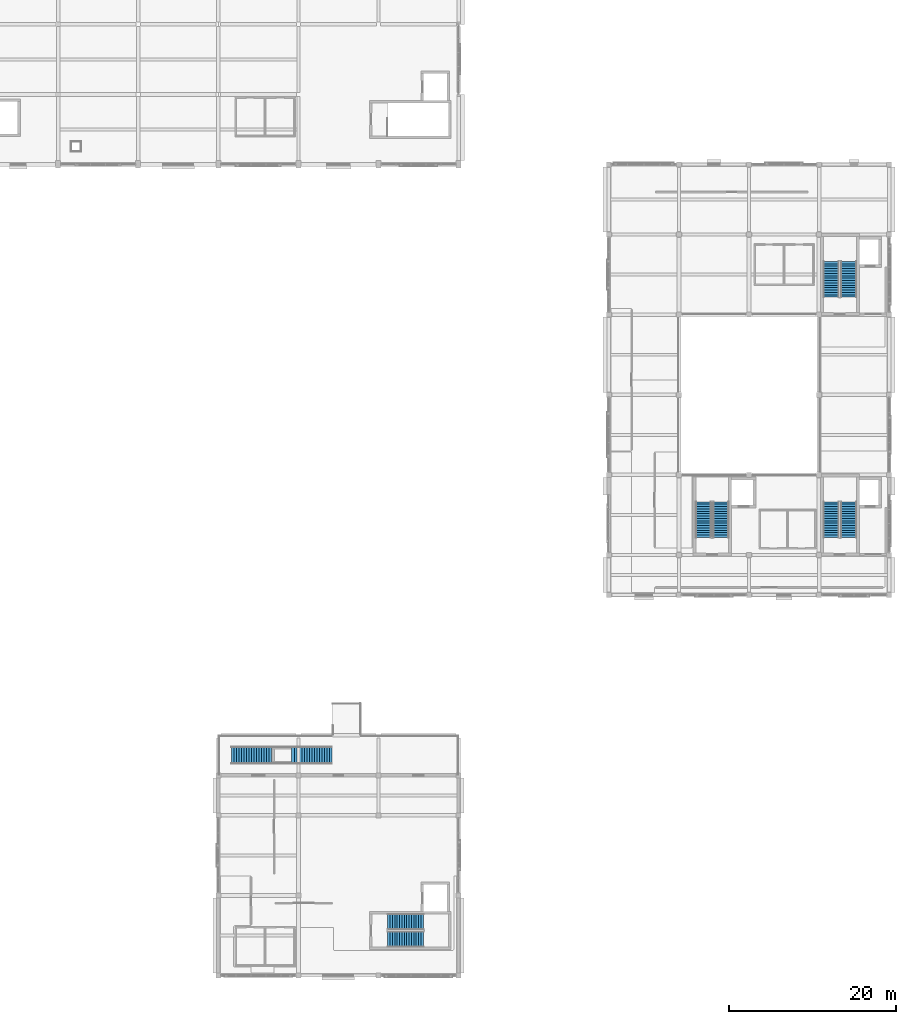
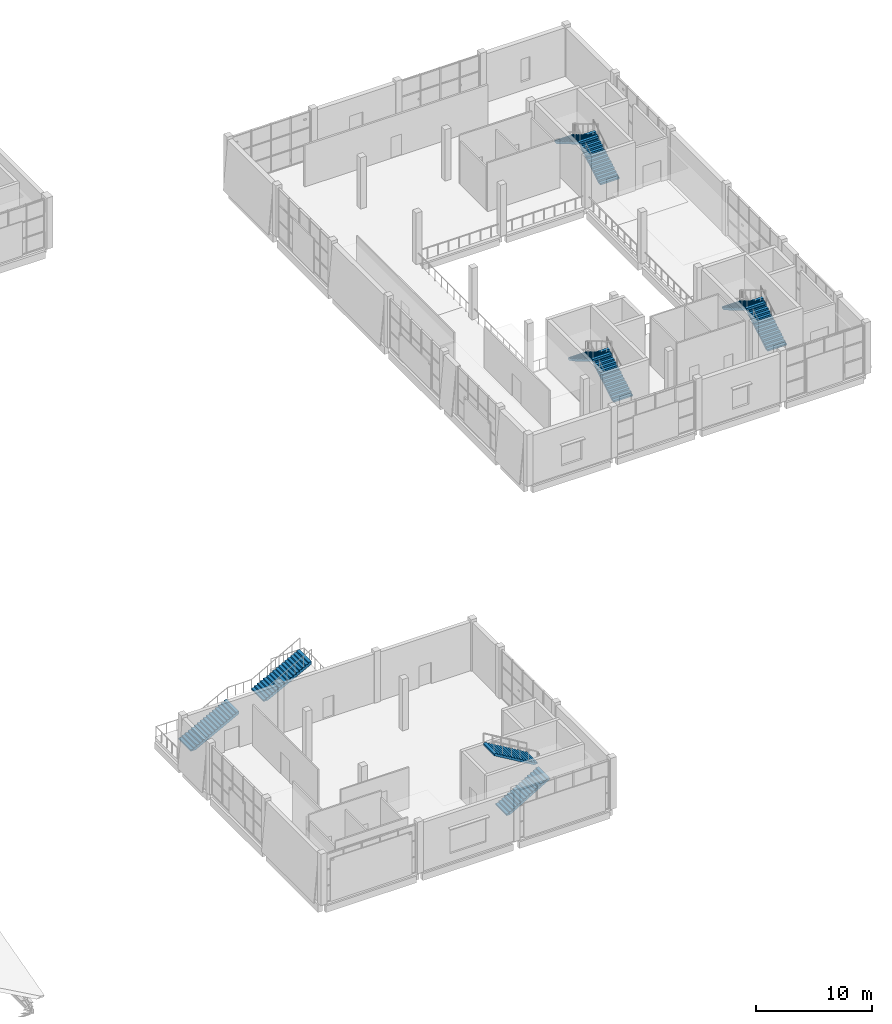
# One storey, part 45 of 57: 10 stair flights, 5 elements without a shape of their own.
"""IFC4 building model written with IfcOpenShell, lengths in metres."""

from ifc_helpers import new_model, si_unit, direction, frame, origin, place, context, subcontext, project, spatial, polyline, outline, extrude, material, type_object, element, aggregate, save


model = new_model("IFC4")

# Units and contexts
model_context = context("Model", 3, precision=1e-05, world=origin(), true_north=direction((0.0, 1.0)))
body_context = subcontext(model_context, "Body", "Model", "MODEL_VIEW")
ifc_project = project(units=[si_unit("LENGTHUNIT", "METRE"), si_unit("AREAUNIT", "SQUARE_METRE"), si_unit("VOLUMEUNIT", "CUBIC_METRE"), si_unit("PLANEANGLEUNIT", "RADIAN"), si_unit("MASSUNIT", "GRAM", prefix="KILO")], contexts=[model_context])

# Site, building, storey
site_placement = place(None, origin())
site = spatial("IfcSite", under=ifc_project, at=site_placement, CompositionType="ELEMENT")
building_placement = place(site_placement, origin())
building = spatial("IfcBuilding", under=site, at=building_placement, Name="Shalvenor Court Art Gallery", CompositionType="ELEMENT")
storey_placement = place(building_placement, frame((0.0, 0.0, 16.800048828125)))
storey = spatial("IfcBuildingStorey", under=building, at=storey_placement, Name="L03", CompositionType="ELEMENT", Elevation=16.800048828125)

# Stair, stair flights
ifc_material_1 = material(Name="Concrete C40/50", Category="concrete")
stair_type_1 = type_object("IfcStairType", Name="ST-DL-32R-1900", PredefinedType="HALF_TURN_STAIR", material=ifc_material_1)
stair_1_placement = place(storey_placement, origin())
stair_1 = element("IfcStair", 1, at=stair_1_placement, inside=storey, type_object=stair_type_1, Name="L03 Core Dogleg Stair ST-01", PredefinedType="HALF_TURN_STAIR")
ifc_material_2 = material(Name="Concrete C40/50", Category="concrete")
stair_flight_type_1 = type_object("IfcStairFlightType", Name="FL-DL-16R-1900", PredefinedType="STRAIGHT", material=ifc_material_2)
stair_flight_1_placement = place(storey_placement, frame((171.550048828125, 81.300048828125, 0.0), z_axis=(0.0, 0.0, 1.0), x_axis=(0.0, 1.0, 0.0)))
stair_flight_1 = element("IfcStairFlight", 2, at=stair_flight_1_placement, type_object=stair_flight_type_1, Name="ST-DL-32R-1900 flight 1", NumberOfRisers=16, NumberOfTreads=15, PredefinedType="STRAIGHT", RiserHeight=0.16875, TreadLength=0.285, context=body_context, shape_type="SweptSolid", body=[
    extrude(outline(polyline([(0.0, 0.0), (0.0, 0.168701171875), (0.284912109375, 0.168701171875), (0.284912109375, 0.33740234375), (0.570068359375, 0.33740234375), (0.570068359375, 0.50634765625), (0.85498046875, 0.50634765625), (0.85498046875, 0.675048828125), (1.139892578125, 0.675048828125), (1.139892578125, 0.84375), (1.425048828125, 0.84375), (1.425048828125, 1.012451171875), (1.7099609375, 1.012451171875), (1.7099609375, 1.18115234375), (1.9951171875, 1.18115234375), (1.9951171875, 1.35009765625), (2.280029296875, 1.35009765625), (2.280029296875, 1.518798828125), (2.56494140625, 1.518798828125), (2.56494140625, 1.6875), (2.85009765625, 1.6875), (2.85009765625, 1.856201171875), (3.135009765625, 1.856201171875), (3.135009765625, 2.02490234375), (3.419921875, 2.02490234375), (3.419921875, 2.19384765625), (3.705078125, 2.19384765625), (3.705078125, 2.362548828125), (3.989990234375, 2.362548828125), (3.989990234375, 2.53125), (4.27490234375, 2.53125), (4.27490234375, 2.699951171875), (4.27490234375, 2.322021484375), (0.353271484375, 0.0), (0.0, 0.0)])), frame((0.0, 0.949951171875, 0.0), z_axis=(0.0, -1.0, 0.0), x_axis=(1.0, 0.0, 0.0)), (0.0, 0.0, 1.0), 1.89990234375),
])
stair_flight_2_placement = place(storey_placement, frame((169.449951171875, 85.574951171875, 2.699951171875), z_axis=(0.0, 0.0, 1.0), x_axis=(0.0, -1.0, 0.0)))
stair_flight_2 = element("IfcStairFlight", 3, at=stair_flight_2_placement, type_object=stair_flight_type_1, Name="ST-DL-32R-1900 flight 2", NumberOfRisers=16, NumberOfTreads=15, PredefinedType="STRAIGHT", RiserHeight=0.16875, TreadLength=0.285, context=body_context, shape_type="SweptSolid", body=[
    extrude(outline(polyline([(0.0, 0.0), (0.0, 0.168701171875), (0.284912109375, 0.168701171875), (0.284912109375, 0.33740234375), (0.570068359375, 0.33740234375), (0.570068359375, 0.50634765625), (0.85498046875, 0.50634765625), (0.85498046875, 0.675048828125), (1.139892578125, 0.675048828125), (1.139892578125, 0.84375), (1.425048828125, 0.84375), (1.425048828125, 1.012451171875), (1.7099609375, 1.012451171875), (1.7099609375, 1.18115234375), (1.9951171875, 1.18115234375), (1.9951171875, 1.35009765625), (2.280029296875, 1.35009765625), (2.280029296875, 1.518798828125), (2.56494140625, 1.518798828125), (2.56494140625, 1.6875), (2.85009765625, 1.6875), (2.85009765625, 1.856201171875), (3.135009765625, 1.856201171875), (3.135009765625, 2.02490234375), (3.419921875, 2.02490234375), (3.419921875, 2.19384765625), (3.705078125, 2.19384765625), (3.705078125, 2.362548828125), (3.989990234375, 2.362548828125), (3.989990234375, 2.53125), (4.27490234375, 2.53125), (4.27490234375, 2.699951171875), (4.27490234375, 2.322021484375), (0.353271484375, 0.0), (0.0, 0.0)])), frame((0.0, 0.949951171875, 0.0), z_axis=(0.0, -1.0, 0.0), x_axis=(1.0, 0.0, 0.0)), (0.0, 0.0, 1.0), 1.89990234375),
])
aggregate(stair_1, [stair_flight_1, stair_flight_2])

stair_2_placement = place(storey_placement, origin())
stair_2 = element("IfcStair", 4, at=stair_2_placement, inside=storey, type_object=stair_type_1, Name="L03 Core Dogleg Stair ST-02", PredefinedType="HALF_TURN_STAIR")
stair_flight_3_placement = place(storey_placement, frame((171.550048828125, 52.5, 0.0), z_axis=(0.0, 0.0, 1.0), x_axis=(0.0, 1.0, 0.0)))
stair_flight_3 = element("IfcStairFlight", 5, at=stair_flight_3_placement, type_object=stair_flight_type_1, Name="ST-DL-32R-1900 flight 1", NumberOfRisers=16, NumberOfTreads=15, PredefinedType="STRAIGHT", RiserHeight=0.16875, TreadLength=0.285, context=body_context, shape_type="SweptSolid", body=[
    extrude(outline(polyline([(0.0, 0.0), (0.0, 0.168701171875), (0.284912109375, 0.168701171875), (0.284912109375, 0.33740234375), (0.570068359375, 0.33740234375), (0.570068359375, 0.50634765625), (0.85498046875, 0.50634765625), (0.85498046875, 0.675048828125), (1.139892578125, 0.675048828125), (1.139892578125, 0.84375), (1.425048828125, 0.84375), (1.425048828125, 1.012451171875), (1.7099609375, 1.012451171875), (1.7099609375, 1.18115234375), (1.9951171875, 1.18115234375), (1.9951171875, 1.35009765625), (2.280029296875, 1.35009765625), (2.280029296875, 1.518798828125), (2.56494140625, 1.518798828125), (2.56494140625, 1.6875), (2.85009765625, 1.6875), (2.85009765625, 1.856201171875), (3.135009765625, 1.856201171875), (3.135009765625, 2.02490234375), (3.419921875, 2.02490234375), (3.419921875, 2.19384765625), (3.705078125, 2.19384765625), (3.705078125, 2.362548828125), (3.989990234375, 2.362548828125), (3.989990234375, 2.53125), (4.27490234375, 2.53125), (4.27490234375, 2.699951171875), (4.27490234375, 2.322021484375), (0.353271484375, 0.0), (0.0, 0.0)])), frame((0.0, 0.949951171875, 0.0), z_axis=(0.0, -1.0, 0.0), x_axis=(1.0, 0.0, 0.0)), (0.0, 0.0, 1.0), 1.89990234375),
])
stair_flight_4_placement = place(storey_placement, frame((169.449951171875, 56.77490234375, 2.699951171875), z_axis=(0.0, 0.0, 1.0), x_axis=(0.0, -1.0, 0.0)))
stair_flight_4 = element("IfcStairFlight", 6, at=stair_flight_4_placement, type_object=stair_flight_type_1, Name="ST-DL-32R-1900 flight 2", NumberOfRisers=16, NumberOfTreads=15, PredefinedType="STRAIGHT", RiserHeight=0.16875, TreadLength=0.285, context=body_context, shape_type="SweptSolid", body=[
    extrude(outline(polyline([(0.0, 0.0), (0.0, 0.168701171875), (0.284912109375, 0.168701171875), (0.284912109375, 0.33740234375), (0.570068359375, 0.33740234375), (0.570068359375, 0.50634765625), (0.85498046875, 0.50634765625), (0.85498046875, 0.675048828125), (1.139892578125, 0.675048828125), (1.139892578125, 0.84375), (1.425048828125, 0.84375), (1.425048828125, 1.012451171875), (1.7099609375, 1.012451171875), (1.7099609375, 1.18115234375), (1.9951171875, 1.18115234375), (1.9951171875, 1.35009765625), (2.280029296875, 1.35009765625), (2.280029296875, 1.518798828125), (2.56494140625, 1.518798828125), (2.56494140625, 1.6875), (2.85009765625, 1.6875), (2.85009765625, 1.856201171875), (3.135009765625, 1.856201171875), (3.135009765625, 2.02490234375), (3.419921875, 2.02490234375), (3.419921875, 2.19384765625), (3.705078125, 2.19384765625), (3.705078125, 2.362548828125), (3.989990234375, 2.362548828125), (3.989990234375, 2.53125), (4.27490234375, 2.53125), (4.27490234375, 2.699951171875), (4.27490234375, 2.322021484375), (0.353271484375, 0.0), (0.0, 0.0)])), frame((0.0, 0.949951171875, 0.0), z_axis=(0.0, -1.0, 0.0), x_axis=(1.0, 0.0, 0.0)), (0.0, 0.0, 1.0), 1.89990234375),
])
aggregate(stair_2, [stair_flight_3, stair_flight_4])

stair_3_placement = place(storey_placement, origin())
stair_3 = element("IfcStair", 7, at=stair_3_placement, inside=storey, type_object=stair_type_1, Name="L03 Core Dogleg Stair ST-03", PredefinedType="HALF_TURN_STAIR")
stair_flight_5_placement = place(storey_placement, frame((156.25, 52.5, 0.0), z_axis=(0.0, 0.0, 1.0), x_axis=(0.0, 1.0, 0.0)))
stair_flight_5 = element("IfcStairFlight", 8, at=stair_flight_5_placement, type_object=stair_flight_type_1, Name="ST-DL-32R-1900 flight 1", NumberOfRisers=16, NumberOfTreads=15, PredefinedType="STRAIGHT", RiserHeight=0.16875, TreadLength=0.285, context=body_context, shape_type="SweptSolid", body=[
    extrude(outline(polyline([(0.0, 0.0), (0.0, 0.168701171875), (0.284912109375, 0.168701171875), (0.284912109375, 0.33740234375), (0.570068359375, 0.33740234375), (0.570068359375, 0.50634765625), (0.85498046875, 0.50634765625), (0.85498046875, 0.675048828125), (1.139892578125, 0.675048828125), (1.139892578125, 0.84375), (1.425048828125, 0.84375), (1.425048828125, 1.012451171875), (1.7099609375, 1.012451171875), (1.7099609375, 1.18115234375), (1.9951171875, 1.18115234375), (1.9951171875, 1.35009765625), (2.280029296875, 1.35009765625), (2.280029296875, 1.518798828125), (2.56494140625, 1.518798828125), (2.56494140625, 1.6875), (2.85009765625, 1.6875), (2.85009765625, 1.856201171875), (3.135009765625, 1.856201171875), (3.135009765625, 2.02490234375), (3.419921875, 2.02490234375), (3.419921875, 2.19384765625), (3.705078125, 2.19384765625), (3.705078125, 2.362548828125), (3.989990234375, 2.362548828125), (3.989990234375, 2.53125), (4.27490234375, 2.53125), (4.27490234375, 2.699951171875), (4.27490234375, 2.322021484375), (0.353271484375, 0.0), (0.0, 0.0)])), frame((0.0, 0.949951171875, 0.0), z_axis=(0.0, -1.0, 0.0), x_axis=(1.0, 0.0, 0.0)), (0.0, 0.0, 1.0), 1.89990234375),
])
stair_flight_6_placement = place(storey_placement, frame((154.14990234375, 56.77490234375, 2.699951171875), z_axis=(0.0, 0.0, 1.0), x_axis=(0.0, -1.0, 0.0)))
stair_flight_6 = element("IfcStairFlight", 9, at=stair_flight_6_placement, type_object=stair_flight_type_1, Name="ST-DL-32R-1900 flight 2", NumberOfRisers=16, NumberOfTreads=15, PredefinedType="STRAIGHT", RiserHeight=0.16875, TreadLength=0.285, context=body_context, shape_type="SweptSolid", body=[
    extrude(outline(polyline([(0.0, 0.0), (0.0, 0.168701171875), (0.284912109375, 0.168701171875), (0.284912109375, 0.33740234375), (0.570068359375, 0.33740234375), (0.570068359375, 0.50634765625), (0.85498046875, 0.50634765625), (0.85498046875, 0.675048828125), (1.139892578125, 0.675048828125), (1.139892578125, 0.84375), (1.425048828125, 0.84375), (1.425048828125, 1.012451171875), (1.7099609375, 1.012451171875), (1.7099609375, 1.18115234375), (1.9951171875, 1.18115234375), (1.9951171875, 1.35009765625), (2.280029296875, 1.35009765625), (2.280029296875, 1.518798828125), (2.56494140625, 1.518798828125), (2.56494140625, 1.6875), (2.85009765625, 1.6875), (2.85009765625, 1.856201171875), (3.135009765625, 1.856201171875), (3.135009765625, 2.02490234375), (3.419921875, 2.02490234375), (3.419921875, 2.19384765625), (3.705078125, 2.19384765625), (3.705078125, 2.362548828125), (3.989990234375, 2.362548828125), (3.989990234375, 2.53125), (4.27490234375, 2.53125), (4.27490234375, 2.699951171875), (4.27490234375, 2.322021484375), (0.353271484375, 0.0), (0.0, 0.0)])), frame((0.0, 0.949951171875, 0.0), z_axis=(0.0, -1.0, 0.0), x_axis=(1.0, 0.0, 0.0)), (0.0, 0.0, 1.0), 1.89990234375),
])
aggregate(stair_3, [stair_flight_5, stair_flight_6])

stair_4_placement = place(storey_placement, origin())
stair_4 = element("IfcStair", 10, at=stair_4_placement, inside=storey, type_object=stair_type_1, Name="L03 Core Dogleg Stair ST-04", PredefinedType="HALF_TURN_STAIR")
stair_flight_7_placement = place(storey_placement, frame((116.300048828125, 4.35009765625, 0.0), z_axis=(0.0, 0.0, 1.0), x_axis=(1.0, 0.0, 0.0)))
stair_flight_7 = element("IfcStairFlight", 11, at=stair_flight_7_placement, type_object=stair_flight_type_1, Name="ST-DL-32R-1900 flight 1", NumberOfRisers=16, NumberOfTreads=15, PredefinedType="STRAIGHT", RiserHeight=0.16875, TreadLength=0.285, context=body_context, shape_type="SweptSolid", body=[
    extrude(outline(polyline([(0.0, 0.0), (0.0, 0.168701171875), (0.284912109375, 0.168701171875), (0.284912109375, 0.33740234375), (0.570068359375, 0.33740234375), (0.570068359375, 0.50634765625), (0.85498046875, 0.50634765625), (0.85498046875, 0.675048828125), (1.139892578125, 0.675048828125), (1.139892578125, 0.84375), (1.425048828125, 0.84375), (1.425048828125, 1.012451171875), (1.7099609375, 1.012451171875), (1.7099609375, 1.18115234375), (1.9951171875, 1.18115234375), (1.9951171875, 1.35009765625), (2.280029296875, 1.35009765625), (2.280029296875, 1.518798828125), (2.56494140625, 1.518798828125), (2.56494140625, 1.6875), (2.85009765625, 1.6875), (2.85009765625, 1.856201171875), (3.135009765625, 1.856201171875), (3.135009765625, 2.02490234375), (3.419921875, 2.02490234375), (3.419921875, 2.19384765625), (3.705078125, 2.19384765625), (3.705078125, 2.362548828125), (3.989990234375, 2.362548828125), (3.989990234375, 2.53125), (4.27490234375, 2.53125), (4.27490234375, 2.699951171875), (4.27490234375, 2.322021484375), (0.353271484375, 0.0), (0.0, 0.0)])), frame((0.0, 0.949951171875, 0.0), z_axis=(0.0, -1.0, 0.0), x_axis=(1.0, 0.0, 0.0)), (0.0, 0.0, 1.0), 1.89990234375),
])
stair_flight_8_placement = place(storey_placement, frame((120.574951171875, 6.449951171875, 2.699951171875), z_axis=(0.0, 0.0, 1.0), x_axis=(-1.0, 0.0, 0.0)))
stair_flight_8 = element("IfcStairFlight", 12, at=stair_flight_8_placement, type_object=stair_flight_type_1, Name="ST-DL-32R-1900 flight 2", NumberOfRisers=16, NumberOfTreads=15, PredefinedType="STRAIGHT", RiserHeight=0.16875, TreadLength=0.285, context=body_context, shape_type="SweptSolid", body=[
    extrude(outline(polyline([(0.0, 0.0), (0.0, 0.168701171875), (0.284912109375, 0.168701171875), (0.284912109375, 0.33740234375), (0.570068359375, 0.33740234375), (0.570068359375, 0.50634765625), (0.85498046875, 0.50634765625), (0.85498046875, 0.675048828125), (1.139892578125, 0.675048828125), (1.139892578125, 0.84375), (1.425048828125, 0.84375), (1.425048828125, 1.012451171875), (1.7099609375, 1.012451171875), (1.7099609375, 1.18115234375), (1.9951171875, 1.18115234375), (1.9951171875, 1.35009765625), (2.280029296875, 1.35009765625), (2.280029296875, 1.518798828125), (2.56494140625, 1.518798828125), (2.56494140625, 1.6875), (2.85009765625, 1.6875), (2.85009765625, 1.856201171875), (3.135009765625, 1.856201171875), (3.135009765625, 2.02490234375), (3.419921875, 2.02490234375), (3.419921875, 2.19384765625), (3.705078125, 2.19384765625), (3.705078125, 2.362548828125), (3.989990234375, 2.362548828125), (3.989990234375, 2.53125), (4.27490234375, 2.53125), (4.27490234375, 2.699951171875), (4.27490234375, 2.322021484375), (0.353271484375, 0.0), (0.0, 0.0)])), frame((0.0, 0.949951171875, 0.0), z_axis=(0.0, -1.0, 0.0), x_axis=(1.0, 0.0, 0.0)), (0.0, 0.0, 1.0), 1.89990234375),
])
aggregate(stair_4, [stair_flight_7, stair_flight_8])

ifc_material_3 = material(Name="Concrete C40/50", Category="concrete")
stair_type_2 = type_object("IfcStairType", Name="ST-T5-TP", PredefinedType="STRAIGHT_RUN_STAIR", material=ifc_material_3)
stair_5_placement = place(storey_placement, origin())
stair_5 = element("IfcStair", 13, at=stair_5_placement, inside=storey, type_object=stair_type_2, Name="Sculpture Terrace Stair 5", PredefinedType="STRAIGHT_RUN_STAIR")
ifc_material_4 = material(Name="Concrete C40/50", Category="concrete")
stair_flight_type_2 = type_object("IfcStairFlightType", Name="ST-T5-FL", PredefinedType="STRAIGHT", material=ifc_material_4)
stair_flight_9_placement = place(storey_placement, frame((97.60009765625, 26.39990234375, 0.0), z_axis=(0.0, 0.0, 1.0), x_axis=(1.0, 0.0, 0.0)))
stair_flight_9 = element("IfcStairFlight", 14, at=stair_flight_9_placement, type_object=stair_flight_type_2, Name="ST-T5-TP flight 1", NumberOfRisers=17, NumberOfTreads=16, PredefinedType="STRAIGHT", RiserHeight=0.158823529, TreadLength=0.3, context=body_context, shape_type="SweptSolid", body=[
    extrude(outline(polyline([(0.0, 0.0), (0.0, 0.158935546875), (0.300048828125, 0.158935546875), (0.300048828125, 0.317626953125), (0.60009765625, 0.317626953125), (0.60009765625, 0.4765625), (0.89990234375, 0.4765625), (0.89990234375, 0.63525390625), (1.199951171875, 0.63525390625), (1.199951171875, 0.794189453125), (1.5, 0.794189453125), (1.5, 0.952880859375), (1.800048828125, 0.952880859375), (1.800048828125, 1.11181640625), (2.10009765625, 1.11181640625), (2.10009765625, 1.2705078125), (2.39990234375, 1.2705078125), (2.39990234375, 1.429443359375), (2.699951171875, 1.429443359375), (2.699951171875, 1.588134765625), (3.0, 1.588134765625), (3.0, 1.7470703125), (3.300048828125, 1.7470703125), (3.300048828125, 1.90576171875), (3.60009765625, 1.90576171875), (3.60009765625, 2.064697265625), (3.89990234375, 2.064697265625), (3.89990234375, 2.2236328125), (4.199951171875, 2.2236328125), (4.199951171875, 2.38232421875), (4.5, 2.38232421875), (4.5, 2.541259765625), (4.800048828125, 2.541259765625), (4.800048828125, 2.699951171875), (4.800048828125, 2.292236328125), (0.47021484375, 0.0), (0.0, 0.0)])), frame((0.0, 1.050048828125, 0.0), z_axis=(0.0, -1.0, 0.0), x_axis=(1.0, 0.0, 0.0)), (0.0, 0.0, 1.0), 2.10009765625),
])
stair_flight_10_placement = place(storey_placement, frame((104.800048828125, 26.39990234375, 2.699951171875), z_axis=(0.0, 0.0, 1.0), x_axis=(1.0, 0.0, 0.0)))
stair_flight_10 = element("IfcStairFlight", 15, at=stair_flight_10_placement, type_object=stair_flight_type_2, Name="ST-T5-TP flight 2", NumberOfRisers=17, NumberOfTreads=16, PredefinedType="STRAIGHT", RiserHeight=0.158823529, TreadLength=0.3, context=body_context, shape_type="SweptSolid", body=[
    extrude(outline(polyline([(0.0, 0.0), (0.0, 0.158935546875), (0.300048828125, 0.158935546875), (0.300048828125, 0.317626953125), (0.60009765625, 0.317626953125), (0.60009765625, 0.4765625), (0.89990234375, 0.4765625), (0.89990234375, 0.63525390625), (1.199951171875, 0.63525390625), (1.199951171875, 0.794189453125), (1.5, 0.794189453125), (1.5, 0.952880859375), (1.800048828125, 0.952880859375), (1.800048828125, 1.11181640625), (2.10009765625, 1.11181640625), (2.10009765625, 1.2705078125), (2.39990234375, 1.2705078125), (2.39990234375, 1.429443359375), (2.699951171875, 1.429443359375), (2.699951171875, 1.588134765625), (3.0, 1.588134765625), (3.0, 1.7470703125), (3.300048828125, 1.7470703125), (3.300048828125, 1.90576171875), (3.60009765625, 1.90576171875), (3.60009765625, 2.064697265625), (3.89990234375, 2.064697265625), (3.89990234375, 2.2236328125), (4.199951171875, 2.2236328125), (4.199951171875, 2.38232421875), (4.5, 2.38232421875), (4.5, 2.541259765625), (4.800048828125, 2.541259765625), (4.800048828125, 2.699951171875), (4.800048828125, 2.292236328125), (0.47021484375, 0.0), (0.0, 0.0)])), frame((0.0, 1.050048828125, 0.0), z_axis=(0.0, -1.0, 0.0), x_axis=(1.0, 0.0, 0.0)), (0.0, 0.0, 1.0), 2.10009765625),
])
aggregate(stair_5, [stair_flight_9, stair_flight_10])

save(model, "model.ifc")
